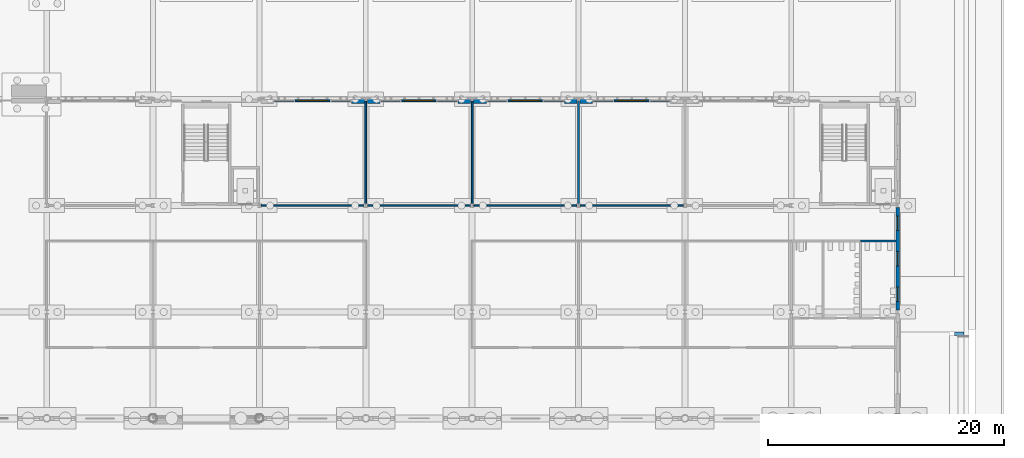
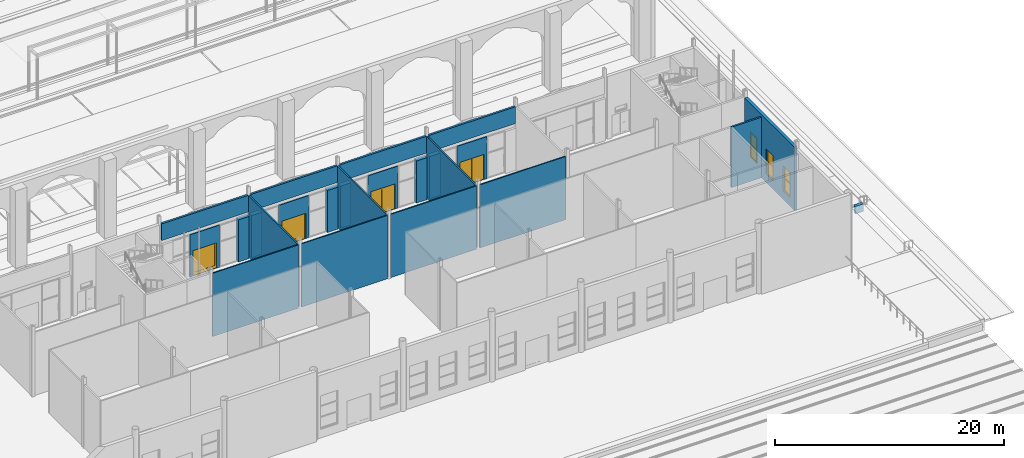
# One storey, part 131 of 250: 24 walls, 4 doors, 3 windows, 7 openings.
"""IFC4 building model written with IfcOpenShell, lengths in metres."""

import ifcopenshell
import ifcopenshell.guid

model = None  # the IFC model being written
_history = None  # IfcOwnerHistory: only IFC2X3 demands one
_inside = {}  # id of a spatial element -> (the spatial element, [elements in it])
_under = {}  # id of a project, library or spatial element -> (it, [spatial elements below it])
_declared = {}  # id of a project -> (the project, [libraries it declares])
_typed = {}  # id of a type object -> (the type object, [elements of that type])
_made_of = {}  # id of a material, layer set ... -> (it, [elements and type objects made of it])


def new_model(schema):
    """Start an empty IFC model of exactly this schema.

    Asked for "IFC4X3", IfcOpenShell would pick the latest addendum, in which some entities
    have other attributes; the version numbers below select the first issue.
    IFC2X3 requires an IfcOwnerHistory on every rooted entity: one is made here for all.
    """
    global model, _history
    if schema == "IFC4X3":
        model = ifcopenshell.file(schema_version=(4, 3, 0, 0))
    else:
        model = ifcopenshell.file(schema=schema)
    _inside.clear()
    _under.clear()
    _declared.clear()
    _typed.clear()
    _made_of.clear()
    _history = None
    if model.schema == "IFC2X3":
        org = make("IfcOrganization", Name="unknown")
        user = make(
            "IfcPersonAndOrganization",
            ThePerson=make("IfcPerson", FamilyName="unknown"),
            TheOrganization=org,
        )
        app = make(
            "IfcApplication",
            ApplicationDeveloper=org,
            Version="unknown",
            ApplicationFullName="unknown",
            ApplicationIdentifier="unknown",
        )
        _history = make(
            "IfcOwnerHistory",
            OwningUser=user,
            OwningApplication=app,
            ChangeAction="ADDED",
            CreationDate=0,
        )
    return model


def make(cls, **values):
    """One entity of the class cls with the attributes given. An attribute that is None is left unset."""
    return model.create_entity(
        cls, **{name: value for name, value in values.items() if value is not None}
    )


def rooted(cls, **values):
    """An entity with a GlobalId (a new one), such as an element, a storey or a relation."""
    return make(cls, GlobalId=ifcopenshell.guid.new(), OwnerHistory=_history, **values)


def si_unit(unit_type, name, prefix=None):
    """IfcSIUnit, for example si_unit("LENGTHUNIT", "METRE", prefix="MILLI")."""
    return make("IfcSIUnit", UnitType=unit_type, Prefix=prefix, Name=name)


def assignment(units):
    """IfcUnitAssignment: the units of a project."""
    return None if units is None else make("IfcUnitAssignment", Units=units)


def point(xyz):
    """IfcCartesianPoint."""
    return None if xyz is None else make("IfcCartesianPoint", Coordinates=xyz)


def direction(xyz):
    """IfcDirection."""
    return None if xyz is None else make("IfcDirection", DirectionRatios=xyz)


def frame(location, z_axis=None, x_axis=None):
    """IfcAxis2Placement3D, a coordinate frame: its origin and axes. An axis left out is left unset."""
    return make(
        "IfcAxis2Placement3D",
        Location=point(location),
        Axis=direction(z_axis),
        RefDirection=direction(x_axis),
    )


def frame_2d(location, x_axis=None):
    """IfcAxis2Placement2D, a coordinate frame in the plane: its origin and x axis."""
    return make(
        "IfcAxis2Placement2D", Location=point(location), RefDirection=direction(x_axis)
    )


def origin():
    """The frame at (0, 0, 0) with its axes left unset."""
    return frame((0.0, 0.0, 0.0))


def place(relative_to, where):
    """IfcLocalPlacement: puts the frame where relative to a parent placement (None: the world)."""
    return make(
        "IfcLocalPlacement", PlacementRelTo=relative_to, RelativePlacement=where
    )


def context(
    kind, dimensions, precision=None, world=None, true_north=None, identifier=None
):
    """IfcGeometricRepresentationContext, for example the 3D "Model" context."""
    return make(
        "IfcGeometricRepresentationContext",
        ContextIdentifier=identifier,
        ContextType=kind,
        CoordinateSpaceDimension=dimensions,
        Precision=precision,
        WorldCoordinateSystem=world,
        TrueNorth=true_north,
    )


def subcontext(parent, identifier, kind, view, scale=None):
    """IfcGeometricRepresentationSubContext, for example "Body" below "Model"."""
    return make(
        "IfcGeometricRepresentationSubContext",
        ContextIdentifier=identifier,
        ContextType=kind,
        ParentContext=parent,
        TargetScale=scale,
        TargetView=view,
    )


def project(units=None, contexts=None):
    """IfcProject with its units and contexts."""
    return rooted(
        "IfcProject",
        Name="project",
        RepresentationContexts=contexts,
        UnitsInContext=assignment(units),
    )


def spatial(cls, under=None, at=None, **own):
    """A site, building, storey or space (cls), placed at a placement, below another one or the project."""
    s = rooted(cls, ObjectPlacement=at, **own)
    if under is not None:
        _under.setdefault(under.id(), (under, []))[1].append(s)
    return s


def polyline(points):
    """IfcPolyline through the points."""
    return make("IfcPolyline", Points=[point(p) for p in points])


def profile(cls, at=None, kind="AREA", **sizes):
    """A parametric profile (cls). Its sizes go by their IFC names, for example OverallWidth=200.0."""
    return make(cls, ProfileType=kind, Position=at, **sizes)


def rectangle(**sizes):
    """IfcRectangleProfileDef."""
    return profile("IfcRectangleProfileDef", **sizes)


def outline(outer, holes=None, kind="AREA"):
    """IfcArbitraryClosedProfileDef: a profile drawn as a closed curve; with holes, ...WithVoids."""
    if holes is None:
        return make("IfcArbitraryClosedProfileDef", ProfileType=kind, OuterCurve=outer)
    return make(
        "IfcArbitraryProfileDefWithVoids",
        ProfileType=kind,
        OuterCurve=outer,
        InnerCurves=holes,
    )


def extrude(swept, where, along, depth):
    """IfcExtrudedAreaSolid: the profile swept, set in the frame where, extruded along a direction by depth."""
    return make(
        "IfcExtrudedAreaSolid",
        SweptArea=swept,
        Position=where,
        ExtrudedDirection=direction(along),
        Depth=depth,
    )


def shape(context_of_items, identifier, shape_type, items):
    """IfcShapeRepresentation: the items that make up one representation, for example the "Body"."""
    return make(
        "IfcShapeRepresentation",
        ContextOfItems=context_of_items,
        RepresentationIdentifier=identifier,
        RepresentationType=shape_type,
        Items=items,
    )


def material(Name=None, Category=None):
    """IfcMaterial."""
    return make("IfcMaterial", Name=Name, Category=Category)


def layer(
    of_material, thickness, ventilated=None, Name=None, Category=None, Priority=None
):
    """IfcMaterialLayer: one layer of a wall or slab, of a material (None: an air gap)."""
    return make(
        "IfcMaterialLayer",
        Material=of_material,
        LayerThickness=thickness,
        IsVentilated=ventilated,
        Name=Name,
        Category=Category,
        Priority=Priority,
    )


def layer_set(layers, Name=None):
    """IfcMaterialLayerSet."""
    return make("IfcMaterialLayerSet", MaterialLayers=layers, LayerSetName=Name)


def made_of(thing, what):
    """Note that an element or type object is made of a material, layer set ...; save() writes the relation."""
    if what is not None:
        _made_of.setdefault(what.id(), (what, []))[1].append(thing)
    return thing


def type_object(cls, material=None, **own):
    """A type object (cls), such as IfcWallType, which elements share."""
    return made_of(rooted(cls, **own), material)


def element(
    cls,
    number,
    at=None,
    inside=None,
    cuts=None,
    type_object=None,
    material=None,
    context=None,
    identifier="Body",
    shape_type=None,
    held_by="IfcProductDefinitionShape",
    body=None,
    shapes=None,
    **own,
):
    """One element of the class cls, such as IfcWall. Its Tag is "e" and its number.

    at: its placement. inside: the storey or other place that contains it. cuts: it is an
    opening in that element (IfcRelVoidsElement). A single representation is given by context,
    identifier, shape_type and body (its items); several are given by shapes. held_by: the class
    of the entity that holds the representations. save() writes the other relations.
    """
    e = rooted(cls, Tag="e%d" % number, ObjectPlacement=at, **own)
    if body is not None:
        shapes = [shape(context, identifier, shape_type, body)]
    if shapes is not None:
        e.Representation = make(held_by, Representations=shapes)
    if inside is not None:
        _inside.setdefault(inside.id(), (inside, []))[1].append(e)
    if cuts is not None:
        rooted(
            "IfcRelVoidsElement", RelatingBuildingElement=cuts, RelatedOpeningElement=e
        )
    if type_object is not None:
        _typed.setdefault(type_object.id(), (type_object, []))[1].append(e)
    return made_of(e, material)


def fill(opening, filler):
    """IfcRelFillsElement: the door or window that sits in an opening."""
    return rooted(
        "IfcRelFillsElement",
        RelatingOpeningElement=opening,
        RelatedBuildingElement=filler,
    )


def aggregate(whole, parts):
    """IfcRelAggregates: a whole, such as a stair, and the parts it consists of."""
    return rooted("IfcRelAggregates", RelatingObject=whole, RelatedObjects=parts)


def save(model, path):
    """Write the relations noted so far, then the file.

    IfcRelAggregates (storeys below a building ...), IfcRelContainedInSpatialStructure (elements
    in a storey), IfcRelDefinesByType, IfcRelAssociatesMaterial and IfcRelDeclares: one each for
    every whole, place, type object, material and project.
    """
    for whole, parts in _under.values():
        aggregate(whole, parts)
    for where, things in _inside.values():
        rooted(
            "IfcRelContainedInSpatialStructure",
            RelatedElements=things,
            RelatingStructure=where,
        )
    for kind, things in _typed.values():
        rooted("IfcRelDefinesByType", RelatedObjects=things, RelatingType=kind)
    for what, things in _made_of.values():
        rooted("IfcRelAssociatesMaterial", RelatedObjects=things, RelatingMaterial=what)
    for by, libraries in _declared.values():
        rooted("IfcRelDeclares", RelatingContext=by, RelatedDefinitions=libraries)
    model.write(path)


model = new_model("IFC4")

# Units and contexts
model_context = context("Model", 3, precision=1e-05, world=origin(), true_north=direction((0.0, 1.0)))
body_context = subcontext(model_context, "Body", "Model", "MODEL_VIEW")
ifc_project = project(units=[si_unit("LENGTHUNIT", "METRE"), si_unit("AREAUNIT", "SQUARE_METRE"), si_unit("VOLUMEUNIT", "CUBIC_METRE"), si_unit("PLANEANGLEUNIT", "RADIAN"), si_unit("MASSUNIT", "GRAM", prefix="KILO")], contexts=[model_context])

# Site, building, storey
site_placement = place(None, origin())
site = spatial("IfcSite", under=ifc_project, at=site_placement, CompositionType="ELEMENT")
building_placement = place(site_placement, origin())
building = spatial("IfcBuilding", under=site, at=building_placement, Name="Baradari Gate Terminus", CompositionType="ELEMENT")
storey_placement = place(building_placement, origin())
storey = spatial("IfcBuildingStorey", under=building, at=storey_placement, Name="L00", CompositionType="ELEMENT", Elevation=0.0)

# Walls
ifc_material_1 = material(Name="Sandstone masonry", Category="masonry")
ifc_layer_1 = layer(ifc_material_1, 0.199951171875)
ifc_layer_set_1 = layer_set([ifc_layer_1], Name="Sandstone masonry")
wall_type_1 = type_object("IfcWallType", Name="Arcade infill wall WA-1 200", PredefinedType="SOLIDWALL", material=ifc_layer_set_1)
for number, where, z_axis, x_axis, name in (
    (1, (189.128173828125, 107.87841796875, 4.89990234375), (0.0, 0.0, 1.0), (1.0, 0.0, 0.0), "Arcade tympanum wall bay 21 L00"),
    (2, (198.128173828125, 107.87841796875, 4.89990234375), (0.0, 0.0, 1.0), (1.0, 0.0, 0.0), "Arcade tympanum wall bay 22 L00"),
    (3, (207.128173828125, 107.87841796875, 4.89990234375), (0.0, 0.0, 1.0), (1.0, 0.0, 0.0), "Arcade tympanum wall bay 23 L00"),
    (4, (216.128173828125, 107.87841796875, 4.89990234375), (0.0, 0.0, 1.0), (1.0, 0.0, 0.0), "Arcade tympanum wall bay 24 L00"),
):
    element("IfcWall", number, at=place(storey_placement, frame(where, z_axis=z_axis, x_axis=x_axis)), inside=storey, type_object=wall_type_1, Name=name, PredefinedType="SOLIDWALL", context=body_context, shape_type="SweptSolid", body=[
        extrude(rectangle(XDim=8.74365234375, YDim=0.199951171875, at=frame_2d((4.371826171875, 0.0))), origin(), (0.0, 0.0, 1.0), 1.792236328125),
    ])
ifc_material_2 = material(Name="Gypsum board")
ifc_layer_2 = layer(ifc_material_2, 0.125)
ifc_layer_set_2 = layer_set([ifc_layer_2], Name="Gypsum board")
wall_type_2 = type_object("IfcWallType", Name="Corridor partition PT-5 125 EI 30", PredefinedType="PARTITIONING", material=ifc_layer_set_2)
for number, where, z_axis, x_axis, name in (
    (5, (207.15380859375, 99.0, 0.0), (0.0, 0.0, 1.0), (1.0, 0.0, 0.0), "PT-5 partition Corridor (Service Corridor East) / Shop 06"),
    (6, (216.15380859375, 99.0, 0.0), (0.0, 0.0, 1.0), (1.0, 0.0, 0.0), "PT-5 partition Corridor (Service Corridor East) / Shop 07"),
    (7, (198.15380859375, 99.0, 0.0), (0.0, 0.0, 1.0), (1.0, 0.0, 0.0), "PT-5 partition Corridor (Service Corridor East) / Shop 05"),
    (8, (189.15380859375, 99.0, 0.0), (0.0, 0.0, 1.0), (1.0, 0.0, 0.0), "PT-5 partition Corridor (Service Corridor East) / Shop 04"),
):
    element("IfcWall", number, at=place(storey_placement, frame(where, z_axis=z_axis, x_axis=x_axis)), inside=storey, type_object=wall_type_2, Name=name, PredefinedType="PARTITIONING", context=body_context, shape_type="SweptSolid", body=[
        extrude(rectangle(XDim=8.6923828125, YDim=0.125, at=frame_2d((4.34619140625, 0.0))), origin(), (0.0, 0.0, 1.0), 6.757080078125),
    ])

# Wall, openings, windows
ifc_material_3 = material(Name="Concrete C40/50 precast", Category="concrete")
ifc_layer_3 = layer(ifc_material_3, 0.23)
ifc_material_4 = material(Name="Reconstituted stone", Category="masonry")
ifc_layer_4 = layer(ifc_material_4, 0.05)
ifc_layer_set_3 = layer_set([ifc_layer_3, ifc_layer_4], Name="Concrete C40/50 precast")
wall_type_3 = type_object("IfcWallType", Name="End wall WE-1 280", PredefinedType="SOLIDWALL", material=ifc_layer_set_3)
wall_1_placement = place(storey_placement, frame((243.0, 90.1572265625, 0.0), z_axis=(0.0, 0.0, 1.0), x_axis=(0.0, 1.0, 0.0)))
wall_1 = element("IfcWall", 9, at=wall_1_placement, inside=storey, type_object=wall_type_3, Name="east end wall HE bay 11 L00", PredefinedType="SOLIDWALL", context=body_context, shape_type="SweptSolid", body=[
    extrude(rectangle(XDim=8.685546875, YDim=0.280029296875, at=frame_2d((4.3427734375, 0.0))), origin(), (0.0, 0.0, 1.0), 6.767333984375),
])
opening_1_placement = place(wall_1_placement, frame((0.74267578125, 0.0, 0.89990234375)))
opening_1 = element("IfcOpeningElement", 10, at=opening_1_placement, cuts=wall_1, Name="Opening W7", PredefinedType="OPENING", context=body_context, shape_type="SweptSolid", body=[
    extrude(rectangle(XDim=1.199951171875, YDim=2.699951171875, at=frame_2d((0.60009765625, 1.35009765625))), frame((0.0, 0.14990234375, 0.0), z_axis=(0.0, -1.0, 0.0), x_axis=(1.0, 0.0, 0.0)), (0.0, 0.0, 1.0), 0.300048828125),
])
opening_2_placement = place(wall_1_placement, frame((3.74267578125, 0.0, 0.89990234375)))
opening_2 = element("IfcOpeningElement", 11, at=opening_2_placement, cuts=wall_1, Name="Opening W7", PredefinedType="OPENING", context=body_context, shape_type="SweptSolid", body=[
    extrude(rectangle(XDim=1.199951171875, YDim=2.699951171875, at=frame_2d((0.60009765625, 1.35009765625))), frame((0.0, 0.14990234375, 0.0), z_axis=(0.0, -1.0, 0.0), x_axis=(1.0, 0.0, 0.0)), (0.0, 0.0, 1.0), 0.300048828125),
])
opening_3_placement = place(wall_1_placement, frame((6.74267578125, 0.0, 0.89990234375)))
opening_3 = element("IfcOpeningElement", 12, at=opening_3_placement, cuts=wall_1, Name="Opening W7", PredefinedType="OPENING", context=body_context, shape_type="SweptSolid", body=[
    extrude(rectangle(XDim=1.199951171875, YDim=2.699951171875, at=frame_2d((0.60009765625, 1.35009765625))), frame((0.0, 0.14990234375, 0.0), z_axis=(0.0, -1.0, 0.0), x_axis=(1.0, 0.0, 0.0)), (0.0, 0.0, 1.0), 0.300048828125),
])
ifc_material_5 = material(Name="Aluminium 6063-T6", Category="aluminium")
window_type = type_object("IfcWindowType", Name="Service block window W7 1200x2700", PartitioningType="DOUBLE_PANEL_HORIZONTAL", PredefinedType="WINDOW", material=ifc_material_5)
window_1_placement = place(opening_1_placement, origin())
window_1 = element("IfcWindow", 13, at=window_1_placement, inside=storey, type_object=window_type, Name="Window W7 HE/10", OverallHeight=2.7, OverallWidth=1.2, PartitioningType="DOUBLE_PANEL_HORIZONTAL", PredefinedType="WINDOW", context=body_context, shape_type="SweptSolid", body=[
    extrude(outline(polyline([(0.0, 0.0), (1.199951171875, 0.0), (1.199951171875, 2.699951171875), (0.0, 2.699951171875), (0.0, 0.0)]), holes=[polyline([(0.070068359375, 0.070068359375), (1.1298828125, 0.070068359375), (1.1298828125, 2.6298828125), (0.070068359375, 2.6298828125), (0.070068359375, 0.070068359375)])]), frame((0.0, 0.030029296875, 0.0), z_axis=(0.0, -1.0, 0.0), x_axis=(1.0, 0.0, 0.0)), (0.0, 0.0, 1.0), 0.06005859375),
    extrude(rectangle(XDim=1.059814453125, YDim=0.0400390625, at=frame_2d((0.60009765625, 1.35009765625))), frame((0.0, 0.021484375, 0.0), z_axis=(0.0, -1.0, 0.0), x_axis=(1.0, 0.0, 0.0)), (0.0, 0.0, 1.0), 0.04296875),
    extrude(outline(polyline([(0.070068359375, 0.070068359375), (1.1298828125, 0.070068359375), (1.1298828125, 1.330078125), (0.070068359375, 1.330078125), (0.070068359375, 0.070068359375)]), holes=[polyline([(0.10009765625, 0.10009765625), (1.099853515625, 0.10009765625), (1.099853515625, 1.300048828125), (0.10009765625, 1.300048828125), (0.10009765625, 0.10009765625)])]), frame((0.0, 0.0224609375, 0.0), z_axis=(0.0, -1.0, 0.0), x_axis=(1.0, 0.0, 0.0)), (0.0, 0.0, 1.0), 0.044921875),
    extrude(rectangle(XDim=0.999755859375, YDim=1.199951171875, at=frame_2d((0.60009765625, 0.7001953125))), frame((0.0, 0.006103515625, 0.0), z_axis=(0.0, -1.0, 0.0), x_axis=(1.0, 0.0, 0.0)), (0.0, 0.0, 1.0), 0.01220703125),
    extrude(outline(polyline([(0.070068359375, 1.3701171875), (1.1298828125, 1.3701171875), (1.1298828125, 2.6298828125), (0.070068359375, 2.6298828125), (0.070068359375, 1.3701171875)]), holes=[polyline([(0.10009765625, 1.39990234375), (1.099853515625, 1.39990234375), (1.099853515625, 2.599853515625), (0.10009765625, 2.599853515625), (0.10009765625, 1.39990234375)])]), frame((0.0, 0.0224609375, 0.0), z_axis=(0.0, -1.0, 0.0), x_axis=(1.0, 0.0, 0.0)), (0.0, 0.0, 1.0), 0.044921875),
    extrude(rectangle(XDim=0.999755859375, YDim=1.199951171875, at=frame_2d((0.60009765625, 2.0))), frame((0.0, 0.006103515625, 0.0), z_axis=(0.0, -1.0, 0.0), x_axis=(1.0, 0.0, 0.0)), (0.0, 0.0, 1.0), 0.01220703125),
])
fill(opening_1, window_1)
window_2_placement = place(opening_2_placement, origin())
window_2 = element("IfcWindow", 14, at=window_2_placement, inside=storey, type_object=window_type, Name="Window W7 HE/10", OverallHeight=2.7, OverallWidth=1.2, PartitioningType="DOUBLE_PANEL_HORIZONTAL", PredefinedType="WINDOW", context=body_context, shape_type="SweptSolid", body=[
    extrude(outline(polyline([(0.0, 0.0), (1.199951171875, 0.0), (1.199951171875, 2.699951171875), (0.0, 2.699951171875), (0.0, 0.0)]), holes=[polyline([(0.070068359375, 0.070068359375), (1.1298828125, 0.070068359375), (1.1298828125, 2.6298828125), (0.070068359375, 2.6298828125), (0.070068359375, 0.070068359375)])]), frame((0.0, 0.030029296875, 0.0), z_axis=(0.0, -1.0, 0.0), x_axis=(1.0, 0.0, 0.0)), (0.0, 0.0, 1.0), 0.06005859375),
    extrude(rectangle(XDim=1.059814453125, YDim=0.0400390625, at=frame_2d((0.60009765625, 1.35009765625))), frame((0.0, 0.021484375, 0.0), z_axis=(0.0, -1.0, 0.0), x_axis=(1.0, 0.0, 0.0)), (0.0, 0.0, 1.0), 0.04296875),
    extrude(outline(polyline([(0.070068359375, 0.070068359375), (1.1298828125, 0.070068359375), (1.1298828125, 1.330078125), (0.070068359375, 1.330078125), (0.070068359375, 0.070068359375)]), holes=[polyline([(0.10009765625, 0.10009765625), (1.099853515625, 0.10009765625), (1.099853515625, 1.300048828125), (0.10009765625, 1.300048828125), (0.10009765625, 0.10009765625)])]), frame((0.0, 0.0224609375, 0.0), z_axis=(0.0, -1.0, 0.0), x_axis=(1.0, 0.0, 0.0)), (0.0, 0.0, 1.0), 0.044921875),
    extrude(rectangle(XDim=0.999755859375, YDim=1.199951171875, at=frame_2d((0.60009765625, 0.7001953125))), frame((0.0, 0.006103515625, 0.0), z_axis=(0.0, -1.0, 0.0), x_axis=(1.0, 0.0, 0.0)), (0.0, 0.0, 1.0), 0.01220703125),
    extrude(outline(polyline([(0.070068359375, 1.3701171875), (1.1298828125, 1.3701171875), (1.1298828125, 2.6298828125), (0.070068359375, 2.6298828125), (0.070068359375, 1.3701171875)]), holes=[polyline([(0.10009765625, 1.39990234375), (1.099853515625, 1.39990234375), (1.099853515625, 2.599853515625), (0.10009765625, 2.599853515625), (0.10009765625, 1.39990234375)])]), frame((0.0, 0.0224609375, 0.0), z_axis=(0.0, -1.0, 0.0), x_axis=(1.0, 0.0, 0.0)), (0.0, 0.0, 1.0), 0.044921875),
    extrude(rectangle(XDim=0.999755859375, YDim=1.199951171875, at=frame_2d((0.60009765625, 2.0))), frame((0.0, 0.006103515625, 0.0), z_axis=(0.0, -1.0, 0.0), x_axis=(1.0, 0.0, 0.0)), (0.0, 0.0, 1.0), 0.01220703125),
])
fill(opening_2, window_2)
window_3_placement = place(opening_3_placement, origin())
window_3 = element("IfcWindow", 15, at=window_3_placement, inside=storey, type_object=window_type, Name="Window W7 HE/10", OverallHeight=2.7, OverallWidth=1.2, PartitioningType="DOUBLE_PANEL_HORIZONTAL", PredefinedType="WINDOW", context=body_context, shape_type="SweptSolid", body=[
    extrude(outline(polyline([(0.0, 0.0), (1.199951171875, 0.0), (1.199951171875, 2.699951171875), (0.0, 2.699951171875), (0.0, 0.0)]), holes=[polyline([(0.070068359375, 0.070068359375), (1.1298828125, 0.070068359375), (1.1298828125, 2.6298828125), (0.070068359375, 2.6298828125), (0.070068359375, 0.070068359375)])]), frame((0.0, 0.030029296875, 0.0), z_axis=(0.0, -1.0, 0.0), x_axis=(1.0, 0.0, 0.0)), (0.0, 0.0, 1.0), 0.06005859375),
    extrude(rectangle(XDim=1.059814453125, YDim=0.0400390625, at=frame_2d((0.60009765625, 1.35009765625))), frame((0.0, 0.021484375, 0.0), z_axis=(0.0, -1.0, 0.0), x_axis=(1.0, 0.0, 0.0)), (0.0, 0.0, 1.0), 0.04296875),
    extrude(outline(polyline([(0.070068359375, 0.070068359375), (1.1298828125, 0.070068359375), (1.1298828125, 1.330078125), (0.070068359375, 1.330078125), (0.070068359375, 0.070068359375)]), holes=[polyline([(0.10009765625, 0.10009765625), (1.099853515625, 0.10009765625), (1.099853515625, 1.300048828125), (0.10009765625, 1.300048828125), (0.10009765625, 0.10009765625)])]), frame((0.0, 0.0224609375, 0.0), z_axis=(0.0, -1.0, 0.0), x_axis=(1.0, 0.0, 0.0)), (0.0, 0.0, 1.0), 0.044921875),
    extrude(rectangle(XDim=0.999755859375, YDim=1.199951171875, at=frame_2d((0.60009765625, 0.7001953125))), frame((0.0, 0.006103515625, 0.0), z_axis=(0.0, -1.0, 0.0), x_axis=(1.0, 0.0, 0.0)), (0.0, 0.0, 1.0), 0.01220703125),
    extrude(outline(polyline([(0.070068359375, 1.3701171875), (1.1298828125, 1.3701171875), (1.1298828125, 2.6298828125), (0.070068359375, 2.6298828125), (0.070068359375, 1.3701171875)]), holes=[polyline([(0.10009765625, 1.39990234375), (1.099853515625, 1.39990234375), (1.099853515625, 2.599853515625), (0.10009765625, 2.599853515625), (0.10009765625, 1.39990234375)])]), frame((0.0, 0.0224609375, 0.0), z_axis=(0.0, -1.0, 0.0), x_axis=(1.0, 0.0, 0.0)), (0.0, 0.0, 1.0), 0.044921875),
    extrude(rectangle(XDim=0.999755859375, YDim=1.199951171875, at=frame_2d((0.60009765625, 2.0))), frame((0.0, 0.006103515625, 0.0), z_axis=(0.0, -1.0, 0.0), x_axis=(1.0, 0.0, 0.0)), (0.0, 0.0, 1.0), 0.01220703125),
])
fill(opening_3, window_3)

# Wall, opening, door
ifc_material_6 = material(Name="Laminated glass in aluminium frame", Category="aluminium")
ifc_layer_5 = layer(ifc_material_6, 0.14990234375)
ifc_layer_set_4 = layer_set([ifc_layer_5], Name="Laminated glass in aluminium frame")
wall_type_4 = type_object("IfcWallType", Name="Glazed entrance screen WG-1 150", PredefinedType="ELEMENTEDWALL", material=ifc_layer_set_4)
wall_2_placement = place(storey_placement, frame((192.0, 107.87841796875, 0.0), z_axis=(0.0, 0.0, 1.0), x_axis=(1.0, 0.0, 0.0)))
wall_2 = element("IfcWall", 16, at=wall_2_placement, inside=storey, type_object=wall_type_4, Name="Glazed entrance screen HN bay 21 L00", PredefinedType="ELEMENTEDWALL", context=body_context, shape_type="SweptSolid", body=[
    extrude(rectangle(XDim=3.0, YDim=0.14990234375, at=frame_2d((1.5, 0.0))), origin(), (0.0, 0.0, 1.0), 4.5),
])
opening_4_placement = place(wall_2_placement, frame((0.300048828125, 0.0, 0.0)))
opening_4 = element("IfcOpeningElement", 17, at=opening_4_placement, cuts=wall_2, Name="Opening D00-027", PredefinedType="OPENING", context=body_context, shape_type="SweptSolid", body=[
    extrude(rectangle(XDim=2.39990234375, YDim=2.699951171875, at=frame_2d((1.199951171875, 1.35009765625))), frame((0.0, 0.0849609375, 0.0), z_axis=(0.0, -1.0, 0.0), x_axis=(1.0, 0.0, 0.0)), (0.0, 0.0, 1.0), 0.169921875),
])
ifc_material_7 = material(Name="Aluminium 6063-T6", Category="aluminium")
door_type = type_object("IfcDoorType", Name="Shop entrance door pair, glazed DT-2 2400x2700", OperationType="DOUBLE_DOOR_DOUBLE_SWING", PredefinedType="DOOR", material=ifc_material_7)
door_1_placement = place(opening_4_placement, origin())
door_1 = element("IfcDoor", 18, at=door_1_placement, inside=storey, type_object=door_type, Name="Entrance door Shop 04", OperationType="DOUBLE_DOOR_SINGLE_SWING", OverallHeight=2.7, OverallWidth=2.4, PredefinedType="DOOR", context=body_context, shape_type="SweptSolid", body=[
    extrude(outline(polyline([(0.0, 0.0), (0.070068359375, 0.0), (0.070068359375, 2.6298828125), (2.329833984375, 2.6298828125), (2.329833984375, 0.0), (2.39990234375, 0.0), (2.39990234375, 2.699951171875), (0.0, 2.699951171875), (0.0, 0.0)])), frame((0.0, 0.02490234375, 0.0), z_axis=(0.0, -1.0, 0.0), x_axis=(1.0, 0.0, 0.0)), (0.0, 0.0, 1.0), 0.050048828125),
    extrude(outline(polyline([(0.073974609375, 0.010009765625), (1.19677734375, 0.010009765625), (1.19677734375, 2.6259765625), (0.073974609375, 2.6259765625), (0.073974609375, 0.010009765625)]), holes=[polyline([(0.1640625, 0.31005859375), (1.10693359375, 0.31005859375), (1.10693359375, 2.535888671875), (0.1640625, 2.535888671875), (0.1640625, 0.31005859375)])]), frame((0.0, 0.017333984375, 0.0), z_axis=(0.0, -1.0, 0.0), x_axis=(1.0, 0.0, 0.0)), (0.0, 0.0, 1.0), 0.034912109375),
    extrude(rectangle(XDim=0.94287109375, YDim=2.225830078125, at=frame_2d((0.635498046875, 1.4228515625))), frame((0.0, 0.005859375, 0.0), z_axis=(0.0, -1.0, 0.0), x_axis=(1.0, 0.0, 0.0)), (0.0, 0.0, 1.0), 0.011962890625),
    extrude(outline(polyline([(1.203125, 0.010009765625), (2.325927734375, 0.010009765625), (2.325927734375, 2.6259765625), (1.203125, 2.6259765625), (1.203125, 0.010009765625)]), holes=[polyline([(1.29296875, 0.31005859375), (2.23583984375, 0.31005859375), (2.23583984375, 2.535888671875), (1.29296875, 2.535888671875), (1.29296875, 0.31005859375)])]), frame((0.0, 0.017333984375, 0.0), z_axis=(0.0, -1.0, 0.0), x_axis=(1.0, 0.0, 0.0)), (0.0, 0.0, 1.0), 0.034912109375),
    extrude(rectangle(XDim=0.94287109375, YDim=2.225830078125, at=frame_2d((1.764404296875, 1.4228515625))), frame((0.0, 0.005859375, 0.0), z_axis=(0.0, -1.0, 0.0), x_axis=(1.0, 0.0, 0.0)), (0.0, 0.0, 1.0), 0.011962890625),
])
fill(opening_4, door_1)

wall_3_placement = place(storey_placement, frame((201.0, 107.87841796875, 0.0), z_axis=(0.0, 0.0, 1.0), x_axis=(1.0, 0.0, 0.0)))
wall_3 = element("IfcWall", 19, at=wall_3_placement, inside=storey, type_object=wall_type_4, Name="Glazed entrance screen HN bay 22 L00", PredefinedType="ELEMENTEDWALL", context=body_context, shape_type="SweptSolid", body=[
    extrude(rectangle(XDim=3.0, YDim=0.14990234375, at=frame_2d((1.5, 0.0))), origin(), (0.0, 0.0, 1.0), 4.5),
])
opening_5_placement = place(wall_3_placement, frame((0.300048828125, 0.0, 0.0)))
opening_5 = element("IfcOpeningElement", 20, at=opening_5_placement, cuts=wall_3, Name="Opening D00-028", PredefinedType="OPENING", context=body_context, shape_type="SweptSolid", body=[
    extrude(rectangle(XDim=2.39990234375, YDim=2.699951171875, at=frame_2d((1.199951171875, 1.35009765625))), frame((0.0, 0.0849609375, 0.0), z_axis=(0.0, -1.0, 0.0), x_axis=(1.0, 0.0, 0.0)), (0.0, 0.0, 1.0), 0.169921875),
])
door_2_placement = place(opening_5_placement, origin())
door_2 = element("IfcDoor", 21, at=door_2_placement, inside=storey, type_object=door_type, Name="Entrance door Shop 05", OperationType="DOUBLE_DOOR_SINGLE_SWING", OverallHeight=2.7, OverallWidth=2.4, PredefinedType="DOOR", context=body_context, shape_type="SweptSolid", body=[
    extrude(outline(polyline([(0.0, 0.0), (0.070068359375, 0.0), (0.070068359375, 2.6298828125), (2.329833984375, 2.6298828125), (2.329833984375, 0.0), (2.39990234375, 0.0), (2.39990234375, 2.699951171875), (0.0, 2.699951171875), (0.0, 0.0)])), frame((0.0, 0.02490234375, 0.0), z_axis=(0.0, -1.0, 0.0), x_axis=(1.0, 0.0, 0.0)), (0.0, 0.0, 1.0), 0.050048828125),
    extrude(outline(polyline([(0.073974609375, 0.010009765625), (1.19677734375, 0.010009765625), (1.19677734375, 2.6259765625), (0.073974609375, 2.6259765625), (0.073974609375, 0.010009765625)]), holes=[polyline([(0.1640625, 0.31005859375), (1.10693359375, 0.31005859375), (1.10693359375, 2.535888671875), (0.1640625, 2.535888671875), (0.1640625, 0.31005859375)])]), frame((0.0, 0.017333984375, 0.0), z_axis=(0.0, -1.0, 0.0), x_axis=(1.0, 0.0, 0.0)), (0.0, 0.0, 1.0), 0.034912109375),
    extrude(rectangle(XDim=0.94287109375, YDim=2.225830078125, at=frame_2d((0.635498046875, 1.4228515625))), frame((0.0, 0.005859375, 0.0), z_axis=(0.0, -1.0, 0.0), x_axis=(1.0, 0.0, 0.0)), (0.0, 0.0, 1.0), 0.011962890625),
    extrude(outline(polyline([(1.203125, 0.010009765625), (2.325927734375, 0.010009765625), (2.325927734375, 2.6259765625), (1.203125, 2.6259765625), (1.203125, 0.010009765625)]), holes=[polyline([(1.29296875, 0.31005859375), (2.23583984375, 0.31005859375), (2.23583984375, 2.535888671875), (1.29296875, 2.535888671875), (1.29296875, 0.31005859375)])]), frame((0.0, 0.017333984375, 0.0), z_axis=(0.0, -1.0, 0.0), x_axis=(1.0, 0.0, 0.0)), (0.0, 0.0, 1.0), 0.034912109375),
    extrude(rectangle(XDim=0.94287109375, YDim=2.225830078125, at=frame_2d((1.764404296875, 1.4228515625))), frame((0.0, 0.005859375, 0.0), z_axis=(0.0, -1.0, 0.0), x_axis=(1.0, 0.0, 0.0)), (0.0, 0.0, 1.0), 0.011962890625),
])
fill(opening_5, door_2)

wall_4_placement = place(storey_placement, frame((210.0, 107.87841796875, 0.0), z_axis=(0.0, 0.0, 1.0), x_axis=(1.0, 0.0, 0.0)))
wall_4 = element("IfcWall", 22, at=wall_4_placement, inside=storey, type_object=wall_type_4, Name="Glazed entrance screen HN bay 23 L00", PredefinedType="ELEMENTEDWALL", context=body_context, shape_type="SweptSolid", body=[
    extrude(rectangle(XDim=3.0, YDim=0.14990234375, at=frame_2d((1.5, 0.0))), origin(), (0.0, 0.0, 1.0), 4.5),
])
opening_6_placement = place(wall_4_placement, frame((0.300048828125, 0.0, 0.0)))
opening_6 = element("IfcOpeningElement", 23, at=opening_6_placement, cuts=wall_4, Name="Opening D00-029", PredefinedType="OPENING", context=body_context, shape_type="SweptSolid", body=[
    extrude(rectangle(XDim=2.39990234375, YDim=2.699951171875, at=frame_2d((1.199951171875, 1.35009765625))), frame((0.0, 0.0849609375, 0.0), z_axis=(0.0, -1.0, 0.0), x_axis=(1.0, 0.0, 0.0)), (0.0, 0.0, 1.0), 0.169921875),
])
door_3_placement = place(opening_6_placement, origin())
door_3 = element("IfcDoor", 24, at=door_3_placement, inside=storey, type_object=door_type, Name="Entrance door Shop 06", OperationType="DOUBLE_DOOR_SINGLE_SWING", OverallHeight=2.7, OverallWidth=2.4, PredefinedType="DOOR", context=body_context, shape_type="SweptSolid", body=[
    extrude(outline(polyline([(0.0, 0.0), (0.070068359375, 0.0), (0.070068359375, 2.6298828125), (2.329833984375, 2.6298828125), (2.329833984375, 0.0), (2.39990234375, 0.0), (2.39990234375, 2.699951171875), (0.0, 2.699951171875), (0.0, 0.0)])), frame((0.0, 0.02490234375, 0.0), z_axis=(0.0, -1.0, 0.0), x_axis=(1.0, 0.0, 0.0)), (0.0, 0.0, 1.0), 0.050048828125),
    extrude(outline(polyline([(0.073974609375, 0.010009765625), (1.19677734375, 0.010009765625), (1.19677734375, 2.6259765625), (0.073974609375, 2.6259765625), (0.073974609375, 0.010009765625)]), holes=[polyline([(0.1640625, 0.31005859375), (1.10693359375, 0.31005859375), (1.10693359375, 2.535888671875), (0.1640625, 2.535888671875), (0.1640625, 0.31005859375)])]), frame((0.0, 0.017333984375, 0.0), z_axis=(0.0, -1.0, 0.0), x_axis=(1.0, 0.0, 0.0)), (0.0, 0.0, 1.0), 0.034912109375),
    extrude(rectangle(XDim=0.94287109375, YDim=2.225830078125, at=frame_2d((0.635498046875, 1.4228515625))), frame((0.0, 0.005859375, 0.0), z_axis=(0.0, -1.0, 0.0), x_axis=(1.0, 0.0, 0.0)), (0.0, 0.0, 1.0), 0.011962890625),
    extrude(outline(polyline([(1.203125, 0.010009765625), (2.325927734375, 0.010009765625), (2.325927734375, 2.6259765625), (1.203125, 2.6259765625), (1.203125, 0.010009765625)]), holes=[polyline([(1.29296875, 0.31005859375), (2.23583984375, 0.31005859375), (2.23583984375, 2.535888671875), (1.29296875, 2.535888671875), (1.29296875, 0.31005859375)])]), frame((0.0, 0.017333984375, 0.0), z_axis=(0.0, -1.0, 0.0), x_axis=(1.0, 0.0, 0.0)), (0.0, 0.0, 1.0), 0.034912109375),
    extrude(rectangle(XDim=0.94287109375, YDim=2.225830078125, at=frame_2d((1.764404296875, 1.4228515625))), frame((0.0, 0.005859375, 0.0), z_axis=(0.0, -1.0, 0.0), x_axis=(1.0, 0.0, 0.0)), (0.0, 0.0, 1.0), 0.011962890625),
])
fill(opening_6, door_3)

wall_5_placement = place(storey_placement, frame((219.0, 107.87841796875, 0.0), z_axis=(0.0, 0.0, 1.0), x_axis=(1.0, 0.0, 0.0)))
wall_5 = element("IfcWall", 25, at=wall_5_placement, inside=storey, type_object=wall_type_4, Name="Glazed entrance screen HN bay 24 L00", PredefinedType="ELEMENTEDWALL", context=body_context, shape_type="SweptSolid", body=[
    extrude(rectangle(XDim=3.0, YDim=0.14990234375, at=frame_2d((1.5, 0.0))), origin(), (0.0, 0.0, 1.0), 4.5),
])
opening_7_placement = place(wall_5_placement, frame((0.300048828125, 0.0, 0.0)))
opening_7 = element("IfcOpeningElement", 26, at=opening_7_placement, cuts=wall_5, Name="Opening D00-030", PredefinedType="OPENING", context=body_context, shape_type="SweptSolid", body=[
    extrude(rectangle(XDim=2.39990234375, YDim=2.699951171875, at=frame_2d((1.199951171875, 1.35009765625))), frame((0.0, 0.0849609375, 0.0), z_axis=(0.0, -1.0, 0.0), x_axis=(1.0, 0.0, 0.0)), (0.0, 0.0, 1.0), 0.169921875),
])
door_4_placement = place(opening_7_placement, origin())
door_4 = element("IfcDoor", 27, at=door_4_placement, inside=storey, type_object=door_type, Name="Entrance door Shop 07", OperationType="DOUBLE_DOOR_SINGLE_SWING", OverallHeight=2.7, OverallWidth=2.4, PredefinedType="DOOR", context=body_context, shape_type="SweptSolid", body=[
    extrude(outline(polyline([(0.0, 0.0), (0.070068359375, 0.0), (0.070068359375, 2.6298828125), (2.329833984375, 2.6298828125), (2.329833984375, 0.0), (2.39990234375, 0.0), (2.39990234375, 2.699951171875), (0.0, 2.699951171875), (0.0, 0.0)])), frame((0.0, 0.02490234375, 0.0), z_axis=(0.0, -1.0, 0.0), x_axis=(1.0, 0.0, 0.0)), (0.0, 0.0, 1.0), 0.050048828125),
    extrude(outline(polyline([(0.073974609375, 0.010009765625), (1.19677734375, 0.010009765625), (1.19677734375, 2.6259765625), (0.073974609375, 2.6259765625), (0.073974609375, 0.010009765625)]), holes=[polyline([(0.1640625, 0.31005859375), (1.10693359375, 0.31005859375), (1.10693359375, 2.535888671875), (0.1640625, 2.535888671875), (0.1640625, 0.31005859375)])]), frame((0.0, 0.017333984375, 0.0), z_axis=(0.0, -1.0, 0.0), x_axis=(1.0, 0.0, 0.0)), (0.0, 0.0, 1.0), 0.034912109375),
    extrude(rectangle(XDim=0.94287109375, YDim=2.225830078125, at=frame_2d((0.635498046875, 1.4228515625))), frame((0.0, 0.005859375, 0.0), z_axis=(0.0, -1.0, 0.0), x_axis=(1.0, 0.0, 0.0)), (0.0, 0.0, 1.0), 0.011962890625),
    extrude(outline(polyline([(1.203125, 0.010009765625), (2.325927734375, 0.010009765625), (2.325927734375, 2.6259765625), (1.203125, 2.6259765625), (1.203125, 0.010009765625)]), holes=[polyline([(1.29296875, 0.31005859375), (2.23583984375, 0.31005859375), (2.23583984375, 2.535888671875), (1.29296875, 2.535888671875), (1.29296875, 0.31005859375)])]), frame((0.0, 0.017333984375, 0.0), z_axis=(0.0, -1.0, 0.0), x_axis=(1.0, 0.0, 0.0)), (0.0, 0.0, 1.0), 0.034912109375),
    extrude(rectangle(XDim=0.94287109375, YDim=2.225830078125, at=frame_2d((1.764404296875, 1.4228515625))), frame((0.0, 0.005859375, 0.0), z_axis=(0.0, -1.0, 0.0), x_axis=(1.0, 0.0, 0.0)), (0.0, 0.0, 1.0), 0.011962890625),
])
fill(opening_7, door_4)

# Walls
ifc_material_8 = material(Name="Laterite masonry", Category="masonry")
ifc_layer_6 = layer(ifc_material_8, 0.449951171875)
ifc_layer_set_5 = layer_set([ifc_layer_6], Name="Laterite masonry")
wall_type_5 = type_object("IfcWallType", Name="Laterite masonry pier WC-1 450", PredefinedType="SOLIDWALL", material=ifc_layer_set_5)
for number, where, z_axis, x_axis, name in (
    (28, (196.800048828125, 107.87841796875, 0.0), (0.0, 0.0, 1.0), (1.0, 0.0, 0.0), "Stone-clad pier HN bay 21 L00"),
    (29, (198.128173828125, 107.87841796875, 0.0), (0.0, 0.0, 1.0), (1.0, 0.0, 0.0), "Stone-clad pier HN bay 22 L00"),
    (30, (205.800048828125, 107.87841796875, 0.0), (0.0, 0.0, 1.0), (1.0, 0.0, 0.0), "Stone-clad pier HN bay 22 L00"),
    (31, (207.128173828125, 107.87841796875, 0.0), (0.0, 0.0, 1.0), (1.0, 0.0, 0.0), "Stone-clad pier HN bay 23 L00"),
    (32, (214.800048828125, 107.87841796875, 0.0), (0.0, 0.0, 1.0), (1.0, 0.0, 0.0), "Stone-clad pier HN bay 23 L00"),
    (33, (216.128173828125, 107.87841796875, 0.0), (0.0, 0.0, 1.0), (1.0, 0.0, 0.0), "Stone-clad pier HN bay 24 L00"),
):
    element("IfcWall", number, at=place(storey_placement, frame(where, z_axis=z_axis, x_axis=x_axis)), inside=storey, type_object=wall_type_5, Name=name, PredefinedType="SOLIDWALL", context=body_context, shape_type="SweptSolid", body=[
        extrude(rectangle(XDim=1.07177734375, YDim=0.449951171875, at=frame_2d((0.535888671875, 0.0))), origin(), (0.0, 0.0, 1.0), 4.5),
    ])
ifc_material_9 = material(Name="Blockwork wall, plastered", Category="masonry")
ifc_layer_7 = layer(ifc_material_9, 0.14990234375)
ifc_layer_set_6 = layer_set([ifc_layer_7], Name="Blockwork wall, plastered")
wall_type_6 = type_object("IfcWallType", Name="Partition PT-2 150 EI 60", PredefinedType="PARTITIONING", material=ifc_layer_set_6)
for number, where, z_axis, x_axis, name in (
    (34, (198.0, 107.869873046875, 0.0), (0.0, 0.0, 1.0), (0.0, -1.0, 0.0), "PT-2 partition Shop 04 / Shop 05"),
    (35, (207.0, 107.869873046875, 0.0), (0.0, 0.0, 1.0), (0.0, -1.0, 0.0), "PT-2 partition Shop 05 / Shop 06"),
    (36, (216.0, 107.869873046875, 0.0), (0.0, 0.0, 1.0), (0.0, -1.0, 0.0), "PT-2 partition Shop 06 / Shop 07"),
):
    element("IfcWall", number, at=place(storey_placement, frame(where, z_axis=z_axis, x_axis=x_axis)), inside=storey, type_object=wall_type_6, Name=name, PredefinedType="PARTITIONING", context=body_context, shape_type="SweptSolid", body=[
        extrude(rectangle(XDim=8.712646484375, YDim=0.14990234375, at=frame_2d((4.3564453125, 0.0))), origin(), (0.0, 0.0, 1.0), 6.60009765625),
    ])
ifc_material_10 = material(Name="Sandstone masonry", Category="masonry")
ifc_layer_8 = layer(ifc_material_10, 0.300048828125)
ifc_layer_set_7 = layer_set([ifc_layer_8], Name="Sandstone masonry")
wall_type_7 = type_object("IfcWallType", Name="Retaining cheek wall KW-2 300", PredefinedType="SOLIDWALL", material=ifc_layer_set_7)
wall_6_placement = place(storey_placement, frame((247.800048828125, 88.14990234375, -0.800048828125), z_axis=(0.0, 0.0, 1.0), x_axis=(1.0, 0.0, 0.0)))
element("IfcWall", 37, at=wall_6_placement, inside=storey, type_object=wall_type_7, Name="Return wall East exit gate b", PredefinedType="SOLIDWALL", context=body_context, shape_type="SweptSolid", body=[
    extrude(rectangle(XDim=0.800048828125, YDim=0.300048828125, at=frame_2d((0.39990234375, 0.0))), origin(), (0.0, 0.0, 1.0), 0.800048828125),
])
ifc_material_11 = material(Name="Blockwork wall, tiled both faces", Category="masonry")
ifc_layer_9 = layer(ifc_material_11, 0.175048828125)
ifc_layer_set_8 = layer_set([ifc_layer_9], Name="Blockwork wall, tiled both faces")
wall_type_8 = type_object("IfcWallType", Name="WC wet wall PT-6 175 EI 60", PredefinedType="PARTITIONING", material=ifc_layer_set_8)
wall_7_placement = place(storey_placement, frame((242.85791015625, 96.0, 0.0), z_axis=(0.0, 0.0, 1.0), x_axis=(-1.0, 0.0, 0.0)))
element("IfcWall", 38, at=wall_7_placement, inside=storey, type_object=wall_type_8, Name="PT-6 partition Corridor (Service Corridor East) / Female WC", PredefinedType="PARTITIONING", context=body_context, shape_type="SweptSolid", body=[
    extrude(rectangle(XDim=3.0078125, YDim=0.175048828125, at=frame_2d((1.50390625, 0.0))), origin(), (0.0, 0.0, 1.0), 6.458984375),
])

save(model, "model.ifc")
